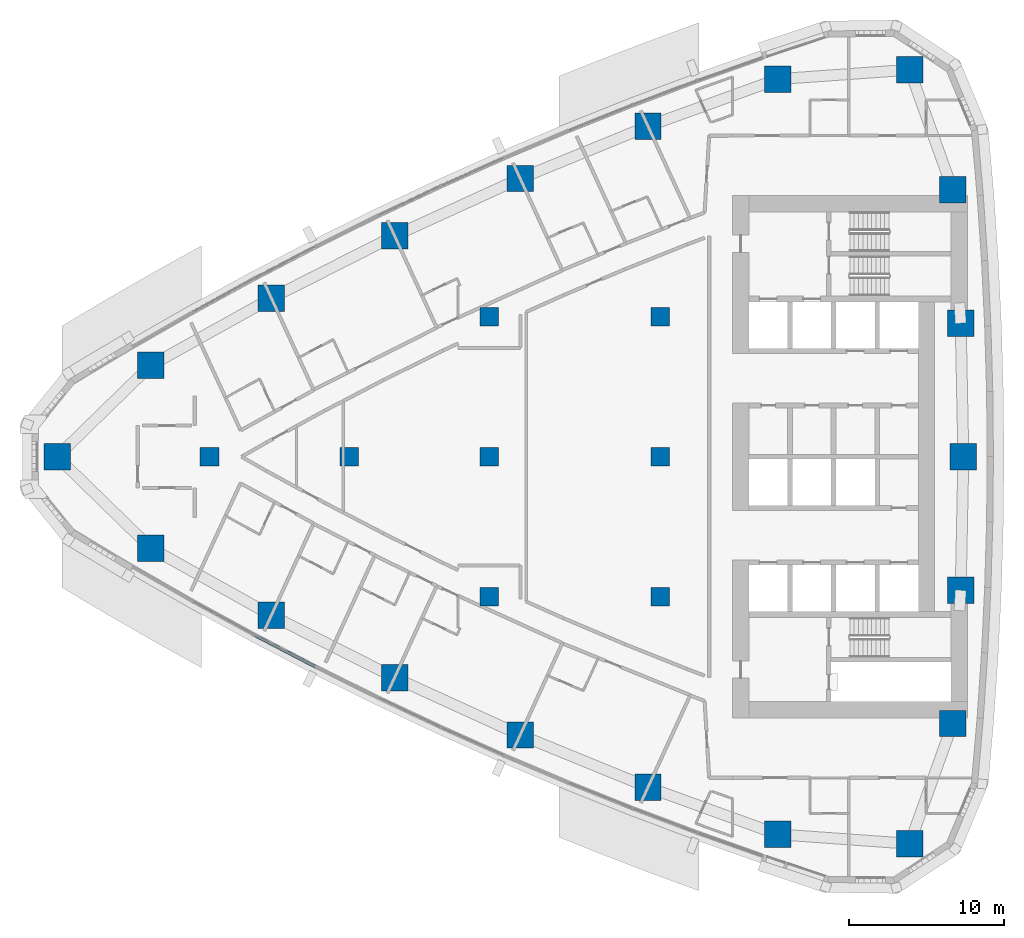
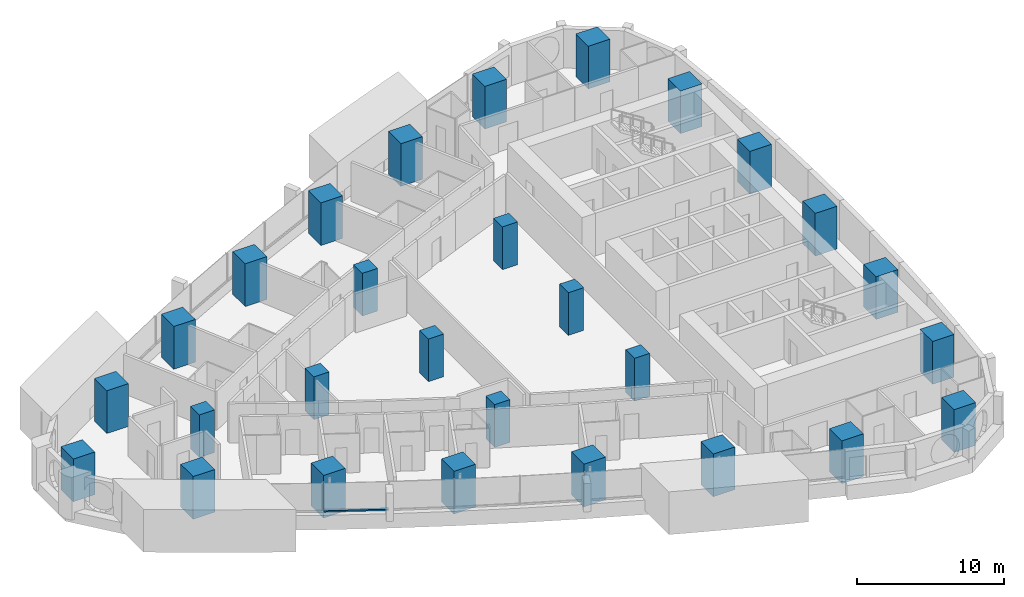
# One storey, part 1 of 17: 28 columns, 1 member, 1 element without a shape of its own.
"""IFC4 building model written with IfcOpenShell, lengths in metres."""

from ifc_helpers import new_model, si_unit, direction, frame, origin, origin_2d, place, context, subcontext, project, spatial, rectangle, extrude, material, layer, layer_set, material_profile, profile_set, type_object, element, aggregate, save


model = new_model("IFC4")

# Units and contexts
model_context = context("Model", 3, precision=1e-05, world=origin(), true_north=direction((0.0, 1.0)))
body_context = subcontext(model_context, "Body", "Model", "MODEL_VIEW")
ifc_project = project(units=[si_unit("LENGTHUNIT", "METRE"), si_unit("AREAUNIT", "SQUARE_METRE"), si_unit("VOLUMEUNIT", "CUBIC_METRE"), si_unit("PLANEANGLEUNIT", "RADIAN"), si_unit("MASSUNIT", "GRAM", prefix="KILO")], contexts=[model_context])

# Site, building, storey
site_placement = place(None, origin())
site = spatial("IfcSite", under=ifc_project, at=site_placement, CompositionType="ELEMENT")
building_placement = place(site_placement, origin())
building = spatial("IfcBuilding", under=site, at=building_placement, Name="Ostrand Prow Hotel Tower", CompositionType="ELEMENT")
storey_placement = place(building_placement, frame((0.0, 0.0, 95.550048828125)))
storey = spatial("IfcBuildingStorey", under=building, at=storey_placement, Name="L22", CompositionType="ELEMENT", Elevation=95.550048828125)

# Columns
ifc_material_1 = material(Name="Concrete C80/95", Category="concrete")
ifc_material_profile_1 = material_profile(ifc_material_1, rectangle(XDim=1.199951171875, YDim=1.199951171875, at=origin_2d()), Name="RC 1200x1200")
ifc_profile_set_1 = profile_set([ifc_material_profile_1], Name="Concrete C80/95")
column_type_1 = type_object("IfcColumnType", Name="Interior column 1200x1200 C80/95", PredefinedType="COLUMN", material=ifc_profile_set_1)
for number, where, z_axis, x_axis, name in (
    (1, (16.0, 0.0, 0.0), (0.0, 0.0, 1.0), (1.0, 0.0, 0.0), "Interior column 16C0"),
    (2, (25.0, 0.0, 0.0), (0.0, 0.0, 1.0), (1.0, 0.0, 0.0), "Interior column 25C0"),
    (3, (34.0, -9.0, 0.0), (0.0, 0.0, 1.0), (1.0, 0.0, 0.0), "Interior column 34S9"),
    (4, (34.0, 0.0, 0.0), (0.0, 0.0, 1.0), (1.0, 0.0, 0.0), "Interior column 34C0"),
    (5, (34.0, 9.0, 0.0), (0.0, 0.0, 1.0), (1.0, 0.0, 0.0), "Interior column 34N9"),
    (6, (45.0, -9.0, 0.0), (0.0, 0.0, 1.0), (1.0, 0.0, 0.0), "Interior column 45S9"),
    (7, (45.0, 0.0, 0.0), (0.0, 0.0, 1.0), (1.0, 0.0, 0.0), "Interior column 45C0"),
    (8, (45.0, 9.0, 0.0), (0.0, 0.0, 1.0), (1.0, 0.0, 0.0), "Interior column 45N9"),
):
    element("IfcColumn", number, at=place(storey_placement, frame(where, z_axis=z_axis, x_axis=x_axis)), inside=storey, type_object=column_type_1, Name=name, PredefinedType="COLUMN", context=body_context, shape_type="SweptSolid", body=[
        extrude(rectangle(XDim=1.199951171875, YDim=1.199951171875, at=origin_2d()), origin(), (0.0, 0.0, 1.0), 3.550048828125),
    ])
ifc_material_2 = material(Name="Concrete C80/95", Category="concrete")
ifc_material_profile_2 = material_profile(ifc_material_2, rectangle(XDim=1.699951171875, YDim=1.699951171875, at=origin_2d()), Name="RC 1700x1700")
ifc_profile_set_2 = profile_set([ifc_material_profile_2], Name="Concrete C80/95")
column_type_2 = type_object("IfcColumnType", Name="Stone-faced mega column 1700x1700 C80/95", PredefinedType="COLUMN", material=ifc_profile_set_2)
for number, where, z_axis, x_axis, name in (
    (9, (6.193115234375, 0.0, 0.0), (0.0, 0.0, 1.0), (1.0, 0.0, 0.0), "Mega column P"),
    (10, (12.221435546875, -5.876220703125, 0.0), (0.0, 0.0, 1.0), (1.0, 0.0, 0.0), "Mega column S1"),
    (11, (19.980712890625, -10.20166015625, 0.0), (0.0, 0.0, 1.0), (1.0, 0.0, 0.0), "Mega column S2"),
    (12, (27.906982421875, -14.212158203125, 0.0), (0.0, 0.0, 1.0), (1.0, 0.0, 0.0), "Mega column S3"),
    (13, (35.98828125, -17.901611328125, 0.0), (0.0, 0.0, 1.0), (1.0, 0.0, 0.0), "Mega column S4"),
    (14, (44.210693359375, -21.263671875, 0.0), (0.0, 0.0, 1.0), (1.0, 0.0, 0.0), "Mega column S5"),
    (15, (52.561767578125, -24.29296875, 0.0), (0.0, 0.0, 1.0), (1.0, 0.0, 0.0), "Mega column S6"),
    (16, (61.0400390625, -24.89697265625, 0.0), (0.0, 0.0, 1.0), (1.0, 0.0, 0.0), "Mega column SE"),
    (17, (63.815673828125, -17.16357421875, 0.0), (0.0, 0.0, 1.0), (1.0, 0.0, 0.0), "Mega column B1"),
    (18, (64.328857421875, -8.588623046875, 0.0), (0.0, 0.0, 1.0), (1.0, 0.0, 0.0), "Mega column B2"),
    (19, (64.5, 0.0, 0.0), (0.0, 0.0, 1.0), (1.0, 0.0, 0.0), "Mega column B3"),
    (20, (64.328857421875, 8.588623046875, 0.0), (0.0, 0.0, 1.0), (1.0, 0.0, 0.0), "Mega column B4"),
    (21, (63.815673828125, 17.16357421875, 0.0), (0.0, 0.0, 1.0), (1.0, 0.0, 0.0), "Mega column B5"),
    (22, (61.0400390625, 24.89697265625, 0.0), (0.0, 0.0, 1.0), (1.0, 0.0, 0.0), "Mega column NE"),
    (23, (52.561767578125, 24.29296875, 0.0), (0.0, 0.0, 1.0), (1.0, 0.0, 0.0), "Mega column N1"),
    (24, (44.210693359375, 21.263671875, 0.0), (0.0, 0.0, 1.0), (1.0, 0.0, 0.0), "Mega column N2"),
    (25, (35.98828125, 17.901611328125, 0.0), (0.0, 0.0, 1.0), (1.0, 0.0, 0.0), "Mega column N3"),
    (26, (27.906982421875, 14.212158203125, 0.0), (0.0, 0.0, 1.0), (1.0, 0.0, 0.0), "Mega column N4"),
    (27, (19.980712890625, 10.20166015625, 0.0), (0.0, 0.0, 1.0), (1.0, 0.0, 0.0), "Mega column N5"),
    (28, (12.221435546875, 5.876220703125, 0.0), (0.0, 0.0, 1.0), (1.0, 0.0, 0.0), "Mega column N6"),
):
    element("IfcColumn", number, at=place(storey_placement, frame(where, z_axis=z_axis, x_axis=x_axis)), inside=storey, type_object=column_type_2, Name=name, PredefinedType="COLUMN", context=body_context, shape_type="SweptSolid", body=[
        extrude(rectangle(XDim=1.699951171875, YDim=1.699951171875, at=origin_2d()), origin(), (0.0, 0.0, 1.0), 3.550048828125),
    ])

# Curtain wall, member
ifc_material_3 = material(Name="Insulated glass in bronze anodised frame", Category="glass")
ifc_layer = layer(ifc_material_3, 0.199951171875)
ifc_layer_set = layer_set([ifc_layer], Name="Insulated glass in bronze anodised frame")
curtain_wall_type = type_object("IfcCurtainWallType", Name="Strip curtain wall, fritted glass over bronze spandrel", PredefinedType="NOTDEFINED", material=ifc_layer_set)
curtain_wall_placement = place(storey_placement, origin())
curtain_wall = element("IfcCurtainWall", 29, at=curtain_wall_placement, inside=storey, type_object=curtain_wall_type, Name="CW1 run CWS2", PredefinedType="NOTDEFINED")
ifc_material_4 = material(Name="Bronze anodised aluminium", Category="aluminium")
ifc_material_profile_3 = material_profile(ifc_material_4, rectangle(XDim=0.199951171875, YDim=0.1201171875, at=origin_2d()), Name="Transom 120x200 bronze anodised aluminium")
ifc_profile_set_3 = profile_set([ifc_material_profile_3], Name="Bronze anodised aluminium")
member_type = type_object("IfcMemberType", Name="Transom 120x200 bronze anodised aluminium", PredefinedType="USERDEFINED", material=ifc_profile_set_3)
member_placement = place(storey_placement, frame((18.89697265625, -11.475830078125, 0.9599609375), z_axis=(0.886901787206, -0.461958028235, 0.0), x_axis=(0.461958028235, 0.886901787206, 0.0)))
member = element("IfcMember", 30, at=member_placement, type_object=member_type, Name="CW1 transom 1.1", ObjectType="TRANSOM", PredefinedType="USERDEFINED", context=body_context, shape_type="SweptSolid", body=[
    extrude(rectangle(XDim=0.199951171875, YDim=0.1201171875, at=origin_2d()), origin(), (0.0, 0.0, 1.0), 4.406005859375),
])
aggregate(curtain_wall, [member])

save(model, "model.ifc")
